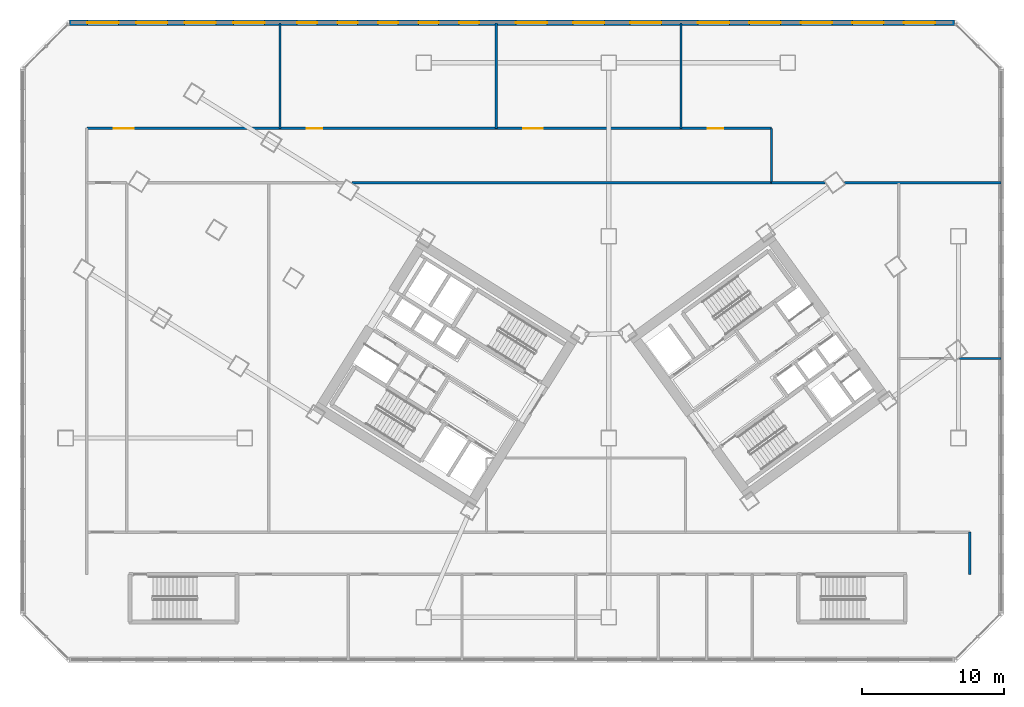
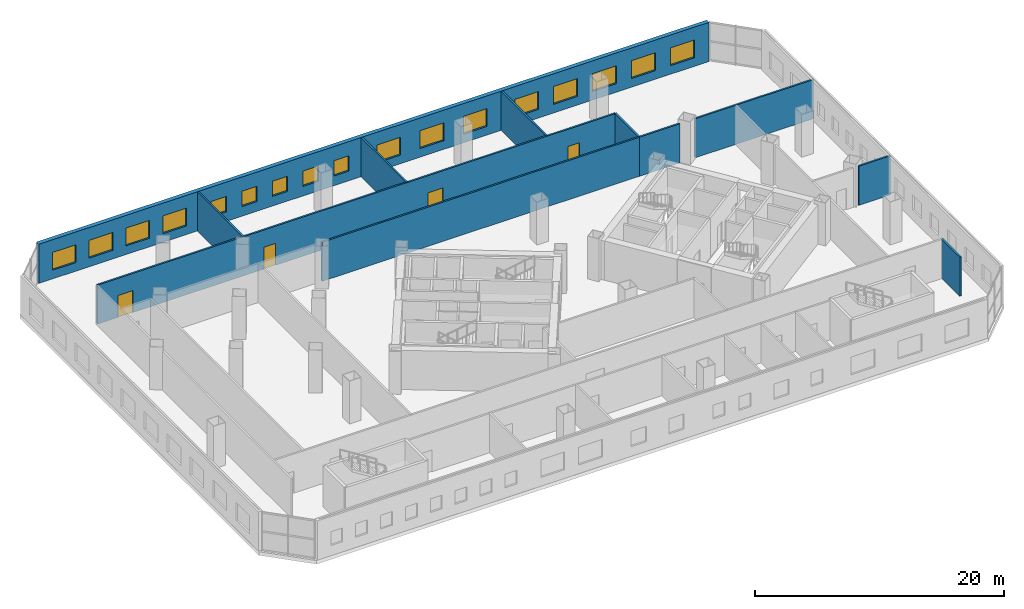
# One storey, part 14 of 22: 17 windows, 11 walls, 4 doors, 21 openings.
"""IFC4 building model written with IfcOpenShell, lengths in metres."""

from ifc_helpers import new_model, si_unit, direction, frame, frame_2d, origin, place, context, subcontext, project, spatial, rectangle, extrude, source, transform, mapped, material, layer, layer_set, type_object, element, fill, save


model = new_model("IFC4")

# Units and contexts
model_context = context("Model", 3, precision=1e-05, world=origin(), true_north=direction((0.0, 1.0)))
body_context = subcontext(model_context, "Body", "Model", "MODEL_VIEW")
ifc_project = project(units=[si_unit("LENGTHUNIT", "METRE"), si_unit("AREAUNIT", "SQUARE_METRE"), si_unit("VOLUMEUNIT", "CUBIC_METRE"), si_unit("PLANEANGLEUNIT", "RADIAN"), si_unit("MASSUNIT", "GRAM", prefix="KILO")], contexts=[model_context])

# Site, building, storey
site_placement = place(None, origin())
site = spatial("IfcSite", under=ifc_project, at=site_placement, CompositionType="ELEMENT")
building_placement = place(site_placement, origin())
building = spatial("IfcBuilding", under=site, at=building_placement, Name="Tlacorven Tower", CompositionType="ELEMENT")
storey_placement = place(building_placement, frame((0.0, 0.0, 10.199951171875)))
storey = spatial("IfcBuildingStorey", under=building, at=storey_placement, Name="L02", CompositionType="ELEMENT", Elevation=10.199951171875)

# Wall
ifc_material_1 = material(Name="Gypsum plasterboard acoustic partition", Category="gypsum")
ifc_layer_1 = layer(ifc_material_1, 0.159912109375)
ifc_layer_set_1 = layer_set([ifc_layer_1], Name="Gypsum plasterboard acoustic partition")
wall_type_1 = type_object("IfcWallType", Name="WL-DEM-160", PredefinedType="PARTITIONING", material=ifc_layer_set_1)
wall_1_placement = place(storey_placement, frame((24.749267578125, 35.14990234375, 0.0), z_axis=(0.0, 0.0, 1.0), x_axis=(1.0, 0.0, 0.0)))
element("IfcWall", 1, at=wall_1_placement, inside=storey, type_object=wall_type_1, Name="L02 partition 77", PredefinedType="PARTITIONING", context=body_context, shape_type="SweptSolid", body=[
    extrude(rectangle(XDim=29.500732421875, YDim=0.159912109375, at=frame_2d((14.75048828125, 0.0))), origin(), (0.0, 0.0, 1.0), 3.840087890625),
])

# Wall, openings, doors
wall_2_placement = place(storey_placement, frame((6.10009765625, 38.97998046875, 0.0), z_axis=(0.0, 0.0, 1.0), x_axis=(1.0, 0.0, 0.0)))
wall_2 = element("IfcWall", 2, at=wall_2_placement, inside=storey, type_object=wall_type_1, Name="L02 partition 78", PredefinedType="PARTITIONING", context=body_context, shape_type="SweptSolid", body=[
    extrude(rectangle(XDim=48.14990234375, YDim=0.159912109375, at=frame_2d((24.074951171875, 0.0))), origin(), (0.0, 0.0, 1.0), 3.840087890625),
])
opening_1_placement = place(wall_2_placement, frame((1.89990234375, 0.0, 0.0)))
opening_1 = element("IfcOpeningElement", 3, at=opening_1_placement, cuts=wall_2, Name="Opening D16", PredefinedType="OPENING", context=body_context, shape_type="SweptSolid", body=[
    extrude(rectangle(XDim=1.39990234375, YDim=2.14990234375, at=frame_2d((0.699951171875, 1.074951171875))), frame((0.0, 0.08984375, 0.0), z_axis=(0.0, -1.0, 0.0), x_axis=(1.0, 0.0, 0.0)), (0.0, 0.0, 1.0), 0.179931640625),
])
opening_2_placement = place(wall_2_placement, frame((15.47998046875, 0.0, 0.0)))
opening_2 = element("IfcOpeningElement", 4, at=opening_2_placement, cuts=wall_2, Name="Opening D15", PredefinedType="OPENING", context=body_context, shape_type="SweptSolid", body=[
    extrude(rectangle(XDim=1.080078125, YDim=2.14990234375, at=frame_2d((0.5400390625, 1.074951171875))), frame((0.0, 0.08984375, 0.0), z_axis=(0.0, -1.0, 0.0), x_axis=(1.0, 0.0, 0.0)), (0.0, 0.0, 1.0), 0.179931640625),
])
opening_3_placement = place(wall_2_placement, frame((30.679931640625, 0.0, 0.0)))
opening_3 = element("IfcOpeningElement", 5, at=opening_3_placement, cuts=wall_2, Name="Opening D16", PredefinedType="OPENING", context=body_context, shape_type="SweptSolid", body=[
    extrude(rectangle(XDim=1.39990234375, YDim=2.14990234375, at=frame_2d((0.699951171875, 1.074951171875))), frame((0.0, 0.08984375, 0.0), z_axis=(0.0, -1.0, 0.0), x_axis=(1.0, 0.0, 0.0)), (0.0, 0.0, 1.0), 0.179931640625),
])
opening_4_placement = place(wall_2_placement, frame((43.679931640625, 0.0, 0.0)))
opening_4 = element("IfcOpeningElement", 6, at=opening_4_placement, cuts=wall_2, Name="Opening D15", PredefinedType="OPENING", context=body_context, shape_type="SweptSolid", body=[
    extrude(rectangle(XDim=1.080078125, YDim=2.14990234375, at=frame_2d((0.5400390625, 1.074951171875))), frame((0.0, 0.08984375, 0.0), z_axis=(0.0, -1.0, 0.0), x_axis=(1.0, 0.0, 0.0)), (0.0, 0.0, 1.0), 0.179931640625),
])
ifc_material_2 = material(Name="Fire-rated steel door assembly", Category="steel")
door_type_1 = type_object("IfcDoorType", Name="DR-CLN-IMAG-1400", OperationType="DOUBLE_DOOR_SINGLE_SWING", PredefinedType="DOOR", material=ifc_material_2)
shared_shape_1 = source(origin(), body_context, "Body", "SweptSolid", [
    extrude(rectangle(XDim=1.39990234375, YDim=2.14990234375, at=frame_2d((0.699951171875, 1.074951171875))), frame((0.0, 0.02490234375, 0.0), z_axis=(0.0, -1.0, 0.0), x_axis=(1.0, 0.0, 0.0)), (0.0, 0.0, 1.0), 0.050048828125),
])
door_1_placement = place(opening_1_placement, origin())
door_1 = element("IfcDoor", 7, at=door_1_placement, inside=storey, type_object=door_type_1, Name="L02 door 035", OperationType="DOUBLE_DOOR_SINGLE_SWING", OverallHeight=2.14990234375, OverallWidth=1.39990234375, PredefinedType="DOOR", context=body_context, shape_type="MappedRepresentation", body=[
    mapped(shared_shape_1, transform((0.0, 0.0, 0.0), scale=1.0)),
])
fill(opening_1, door_1)
door_2_placement = place(opening_3_placement, origin())
door_2 = element("IfcDoor", 8, at=door_2_placement, inside=storey, type_object=door_type_1, Name="L02 door 037", OperationType="DOUBLE_DOOR_SINGLE_SWING", OverallHeight=2.14990234375, OverallWidth=1.39990234375, PredefinedType="DOOR", context=body_context, shape_type="MappedRepresentation", body=[
    mapped(shared_shape_1, transform((0.0, 0.0, 0.0), scale=1.0)),
])
fill(opening_3, door_2)
door_type_2 = type_object("IfcDoorType", Name="DR-CLN-CONS-1080", OperationType="NOTDEFINED", PredefinedType="DOOR", material=ifc_material_2)
shared_shape_2 = source(origin(), body_context, "Body", "SweptSolid", [
    extrude(rectangle(XDim=1.080078125, YDim=2.14990234375, at=frame_2d((0.5400390625, 1.074951171875))), frame((0.0, 0.02490234375, 0.0), z_axis=(0.0, -1.0, 0.0), x_axis=(1.0, 0.0, 0.0)), (0.0, 0.0, 1.0), 0.050048828125),
])
door_3_placement = place(opening_2_placement, origin())
door_3 = element("IfcDoor", 9, at=door_3_placement, inside=storey, type_object=door_type_2, Name="L02 door 036", OperationType="SINGLE_SWING_RIGHT", OverallHeight=2.14990234375, OverallWidth=1.080078125, PredefinedType="DOOR", context=body_context, shape_type="MappedRepresentation", body=[
    mapped(shared_shape_2, transform((0.0, 0.0, 0.0), scale=1.0)),
])
fill(opening_2, door_3)
door_4_placement = place(opening_4_placement, origin())
door_4 = element("IfcDoor", 10, at=door_4_placement, inside=storey, type_object=door_type_2, Name="L02 door 038", OperationType="SINGLE_SWING_LEFT", OverallHeight=2.14990234375, OverallWidth=1.080078125, PredefinedType="DOOR", context=body_context, shape_type="MappedRepresentation", body=[
    mapped(shared_shape_2, transform((0.0, 0.0, 0.0), scale=1.0)),
])
fill(opening_4, door_4)

# Walls
wall_3_placement = place(storey_placement, frame((54.25, 35.14990234375, 0.0), z_axis=(0.0, 0.0, 1.0), x_axis=(0.0, 1.0, 0.0)))
element("IfcWall", 11, at=wall_3_placement, inside=storey, type_object=wall_type_1, Name="L02 partition 79", PredefinedType="PARTITIONING", context=body_context, shape_type="SweptSolid", body=[
    extrude(rectangle(XDim=3.830078125, YDim=0.159912109375, at=frame_2d((1.9150390625, 0.0))), origin(), (0.0, 0.0, 1.0), 3.840087890625),
])
for number, where, z_axis, x_axis, name in (
    (12, (19.68994140625, 38.97998046875, 0.0), (0.0, 0.0, 1.0), (0.0, 1.0, 0.0), "L02 partition 81"),
    (13, (34.889892578125, 38.97998046875, 0.0), (0.0, 0.0, 1.0), (0.0, 1.0, 0.0), "L02 partition 82"),
    (14, (47.889892578125, 38.97998046875, 0.0), (0.0, 0.0, 1.0), (0.0, 1.0, 0.0), "L02 partition 83"),
):
    element("IfcWall", number, at=place(storey_placement, frame(where, z_axis=z_axis, x_axis=x_axis)), inside=storey, type_object=wall_type_1, Name=name, PredefinedType="PARTITIONING", context=body_context, shape_type="SweptSolid", body=[
        extrude(rectangle(XDim=7.419921875, YDim=0.159912109375, at=frame_2d((3.7099609375, 0.0))), origin(), (0.0, 0.0, 1.0), 3.840087890625),
    ])
wall_4_placement = place(storey_placement, frame((54.25, 35.14990234375, 0.0), z_axis=(0.0, 0.0, 1.0), x_axis=(1.0, 0.0, 0.0)))
element("IfcWall", 15, at=wall_4_placement, inside=storey, type_object=wall_type_1, Name="L02 partition 86", PredefinedType="PARTITIONING", context=body_context, shape_type="SweptSolid", body=[
    extrude(rectangle(XDim=3.75244140625, YDim=0.159912109375, at=frame_2d((1.876220703125, 0.0))), origin(), (0.0, 0.0, 1.0), 3.840087890625),
])
wall_5_placement = place(storey_placement, frame((59.391845703125, 35.14990234375, 0.0), z_axis=(0.0, 0.0, 1.0), x_axis=(1.0, 0.0, 0.0)))
element("IfcWall", 16, at=wall_5_placement, inside=storey, type_object=wall_type_1, Name="L02 partition 86", PredefinedType="PARTITIONING", context=body_context, shape_type="SweptSolid", body=[
    extrude(rectangle(XDim=11.008056640625, YDim=0.159912109375, at=frame_2d((5.50390625, 0.0))), origin(), (0.0, 0.0, 1.0), 3.840087890625),
])
wall_6_placement = place(storey_placement, frame((68.199951171875, 7.6201171875, 0.0), z_axis=(0.0, 0.0, 1.0), x_axis=(0.0, 1.0, 0.0)))
element("IfcWall", 17, at=wall_6_placement, inside=storey, type_object=wall_type_1, Name="L02 partition 87", PredefinedType="PARTITIONING", context=body_context, shape_type="SweptSolid", body=[
    extrude(rectangle(XDim=2.9599609375, YDim=0.159912109375, at=frame_2d((1.47998046875, 0.0))), origin(), (0.0, 0.0, 1.0), 3.840087890625),
])
wall_7_placement = place(storey_placement, frame((67.4619140625, 22.800048828125, 0.0), z_axis=(0.0, 0.0, 1.0), x_axis=(1.0, 0.0, 0.0)))
element("IfcWall", 18, at=wall_7_placement, inside=storey, type_object=wall_type_1, Name="L02 partition 88", PredefinedType="PARTITIONING", context=body_context, shape_type="SweptSolid", body=[
    extrude(rectangle(XDim=2.93798828125, YDim=0.159912109375, at=frame_2d((1.468994140625, 0.0))), origin(), (0.0, 0.0, 1.0), 3.840087890625),
])

# Wall, openings, windows
ifc_material_3 = material(Name="Precast concrete C45/55", Category="concrete")
ifc_layer_2 = layer(ifc_material_3, 0.3798828125)
ifc_layer_set_2 = layer_set([ifc_layer_2], Name="Precast concrete C45/55")
wall_type_2 = type_object("IfcWallType", Name="WL-EXT-380", PredefinedType="STANDARD", material=ifc_layer_set_2)
wall_8_placement = place(storey_placement, frame((4.8828125, 46.39990234375, 0.0), z_axis=(0.0, 0.0, 1.0), x_axis=(1.0, 0.0, 0.0)))
wall_8 = element("IfcWall", 19, at=wall_8_placement, inside=storey, type_object=wall_type_2, Name="L02 Podium Masonry-Frame Facade Wall 4", PredefinedType="STANDARD", context=body_context, shape_type="SweptSolid", body=[
    extrude(rectangle(XDim=62.234375, YDim=0.3798828125, at=frame_2d((31.1171875, 0.0))), origin(), (0.0, 0.0, 1.0), 3.85009765625),
])
opening_5_placement = place(wall_8_placement, frame((1.259521484375, 0.0, 0.85009765625)))
opening_5 = element("IfcOpeningElement", 20, at=opening_5_placement, cuts=wall_8, Name="Opening WN14", PredefinedType="OPENING", context=body_context, shape_type="SweptSolid", body=[
    extrude(rectangle(XDim=2.199951171875, YDim=1.75, at=frame_2d((1.10009765625, 0.875))), frame((0.0, 0.199951171875, 0.0), z_axis=(0.0, -1.0, 0.0), x_axis=(1.0, 0.0, 0.0)), (0.0, 0.0, 1.0), 0.39990234375),
])
opening_6_placement = place(wall_8_placement, frame((4.678955078125, 0.0, 0.85009765625)))
opening_6 = element("IfcOpeningElement", 21, at=opening_6_placement, cuts=wall_8, Name="Opening WN14", PredefinedType="OPENING", context=body_context, shape_type="SweptSolid", body=[
    extrude(rectangle(XDim=2.199951171875, YDim=1.75, at=frame_2d((1.10009765625, 0.875))), frame((0.0, 0.199951171875, 0.0), z_axis=(0.0, -1.0, 0.0), x_axis=(1.0, 0.0, 0.0)), (0.0, 0.0, 1.0), 0.39990234375),
])
opening_7_placement = place(wall_8_placement, frame((8.09814453125, 0.0, 0.85009765625)))
opening_7 = element("IfcOpeningElement", 22, at=opening_7_placement, cuts=wall_8, Name="Opening WN14", PredefinedType="OPENING", context=body_context, shape_type="SweptSolid", body=[
    extrude(rectangle(XDim=2.199951171875, YDim=1.75, at=frame_2d((1.10009765625, 0.875))), frame((0.0, 0.199951171875, 0.0), z_axis=(0.0, -1.0, 0.0), x_axis=(1.0, 0.0, 0.0)), (0.0, 0.0, 1.0), 0.39990234375),
])
opening_8_placement = place(wall_8_placement, frame((11.517578125, 0.0, 0.85009765625)))
opening_8 = element("IfcOpeningElement", 23, at=opening_8_placement, cuts=wall_8, Name="Opening WN14", PredefinedType="OPENING", context=body_context, shape_type="SweptSolid", body=[
    extrude(rectangle(XDim=2.199951171875, YDim=1.75, at=frame_2d((1.10009765625, 0.875))), frame((0.0, 0.199951171875, 0.0), z_axis=(0.0, -1.0, 0.0), x_axis=(1.0, 0.0, 0.0)), (0.0, 0.0, 1.0), 0.39990234375),
])
opening_9_placement = place(wall_8_placement, frame((16.01123046875, 0.0, 0.949951171875)))
opening_9 = element("IfcOpeningElement", 24, at=opening_9_placement, cuts=wall_8, Name="Opening WN15", PredefinedType="OPENING", context=body_context, shape_type="SweptSolid", body=[
    extrude(rectangle(XDim=1.39990234375, YDim=1.5, at=frame_2d((0.699951171875, 0.75))), frame((0.0, 0.199951171875, 0.0), z_axis=(0.0, -1.0, 0.0), x_axis=(1.0, 0.0, 0.0)), (0.0, 0.0, 1.0), 0.39990234375),
])
opening_10_placement = place(wall_8_placement, frame((18.859130859375, 0.0, 0.949951171875)))
opening_10 = element("IfcOpeningElement", 25, at=opening_10_placement, cuts=wall_8, Name="Opening WN15", PredefinedType="OPENING", context=body_context, shape_type="SweptSolid", body=[
    extrude(rectangle(XDim=1.39990234375, YDim=1.5, at=frame_2d((0.699951171875, 0.75))), frame((0.0, 0.199951171875, 0.0), z_axis=(0.0, -1.0, 0.0), x_axis=(1.0, 0.0, 0.0)), (0.0, 0.0, 1.0), 0.39990234375),
])
opening_11_placement = place(wall_8_placement, frame((21.707275390625, 0.0, 0.949951171875)))
opening_11 = element("IfcOpeningElement", 26, at=opening_11_placement, cuts=wall_8, Name="Opening WN15", PredefinedType="OPENING", context=body_context, shape_type="SweptSolid", body=[
    extrude(rectangle(XDim=1.39990234375, YDim=1.5, at=frame_2d((0.699951171875, 0.75))), frame((0.0, 0.199951171875, 0.0), z_axis=(0.0, -1.0, 0.0), x_axis=(1.0, 0.0, 0.0)), (0.0, 0.0, 1.0), 0.39990234375),
])
opening_12_placement = place(wall_8_placement, frame((24.55517578125, 0.0, 0.949951171875)))
opening_12 = element("IfcOpeningElement", 27, at=opening_12_placement, cuts=wall_8, Name="Opening WN15", PredefinedType="OPENING", context=body_context, shape_type="SweptSolid", body=[
    extrude(rectangle(XDim=1.39990234375, YDim=1.5, at=frame_2d((0.699951171875, 0.75))), frame((0.0, 0.199951171875, 0.0), z_axis=(0.0, -1.0, 0.0), x_axis=(1.0, 0.0, 0.0)), (0.0, 0.0, 1.0), 0.39990234375),
])
opening_13_placement = place(wall_8_placement, frame((27.4033203125, 0.0, 0.949951171875)))
opening_13 = element("IfcOpeningElement", 28, at=opening_13_placement, cuts=wall_8, Name="Opening WN15", PredefinedType="OPENING", context=body_context, shape_type="SweptSolid", body=[
    extrude(rectangle(XDim=1.39990234375, YDim=1.5, at=frame_2d((0.699951171875, 0.75))), frame((0.0, 0.199951171875, 0.0), z_axis=(0.0, -1.0, 0.0), x_axis=(1.0, 0.0, 0.0)), (0.0, 0.0, 1.0), 0.39990234375),
])
opening_14_placement = place(wall_8_placement, frame((31.393798828125, 0.0, 0.85009765625)))
opening_14 = element("IfcOpeningElement", 29, at=opening_14_placement, cuts=wall_8, Name="Opening WN14", PredefinedType="OPENING", context=body_context, shape_type="SweptSolid", body=[
    extrude(rectangle(XDim=2.199951171875, YDim=1.75, at=frame_2d((1.10009765625, 0.875))), frame((0.0, 0.199951171875, 0.0), z_axis=(0.0, -1.0, 0.0), x_axis=(1.0, 0.0, 0.0)), (0.0, 0.0, 1.0), 0.39990234375),
])
opening_15_placement = place(wall_8_placement, frame((35.4072265625, 0.0, 0.85009765625)))
opening_15 = element("IfcOpeningElement", 30, at=opening_15_placement, cuts=wall_8, Name="Opening WN14", PredefinedType="OPENING", context=body_context, shape_type="SweptSolid", body=[
    extrude(rectangle(XDim=2.199951171875, YDim=1.75, at=frame_2d((1.10009765625, 0.875))), frame((0.0, 0.199951171875, 0.0), z_axis=(0.0, -1.0, 0.0), x_axis=(1.0, 0.0, 0.0)), (0.0, 0.0, 1.0), 0.39990234375),
])
opening_16_placement = place(wall_8_placement, frame((39.42041015625, 0.0, 0.85009765625)))
opening_16 = element("IfcOpeningElement", 31, at=opening_16_placement, cuts=wall_8, Name="Opening WN14", PredefinedType="OPENING", context=body_context, shape_type="SweptSolid", body=[
    extrude(rectangle(XDim=2.199951171875, YDim=1.75, at=frame_2d((1.10009765625, 0.875))), frame((0.0, 0.199951171875, 0.0), z_axis=(0.0, -1.0, 0.0), x_axis=(1.0, 0.0, 0.0)), (0.0, 0.0, 1.0), 0.39990234375),
])
opening_17_placement = place(wall_8_placement, frame((44.197021484375, 0.0, 0.85009765625)))
opening_17 = element("IfcOpeningElement", 32, at=opening_17_placement, cuts=wall_8, Name="Opening WN14", PredefinedType="OPENING", context=body_context, shape_type="SweptSolid", body=[
    extrude(rectangle(XDim=2.199951171875, YDim=1.75, at=frame_2d((1.10009765625, 0.875))), frame((0.0, 0.199951171875, 0.0), z_axis=(0.0, -1.0, 0.0), x_axis=(1.0, 0.0, 0.0)), (0.0, 0.0, 1.0), 0.39990234375),
])
opening_18_placement = place(wall_8_placement, frame((47.81640625, 0.0, 0.85009765625)))
opening_18 = element("IfcOpeningElement", 33, at=opening_18_placement, cuts=wall_8, Name="Opening WN14", PredefinedType="OPENING", context=body_context, shape_type="SweptSolid", body=[
    extrude(rectangle(XDim=2.199951171875, YDim=1.75, at=frame_2d((1.10009765625, 0.875))), frame((0.0, 0.199951171875, 0.0), z_axis=(0.0, -1.0, 0.0), x_axis=(1.0, 0.0, 0.0)), (0.0, 0.0, 1.0), 0.39990234375),
])
opening_19_placement = place(wall_8_placement, frame((51.435791015625, 0.0, 0.85009765625)))
opening_19 = element("IfcOpeningElement", 34, at=opening_19_placement, cuts=wall_8, Name="Opening WN14", PredefinedType="OPENING", context=body_context, shape_type="SweptSolid", body=[
    extrude(rectangle(XDim=2.199951171875, YDim=1.75, at=frame_2d((1.10009765625, 0.875))), frame((0.0, 0.199951171875, 0.0), z_axis=(0.0, -1.0, 0.0), x_axis=(1.0, 0.0, 0.0)), (0.0, 0.0, 1.0), 0.39990234375),
])
opening_20_placement = place(wall_8_placement, frame((55.05517578125, 0.0, 0.85009765625)))
opening_20 = element("IfcOpeningElement", 35, at=opening_20_placement, cuts=wall_8, Name="Opening WN14", PredefinedType="OPENING", context=body_context, shape_type="SweptSolid", body=[
    extrude(rectangle(XDim=2.199951171875, YDim=1.75, at=frame_2d((1.10009765625, 0.875))), frame((0.0, 0.199951171875, 0.0), z_axis=(0.0, -1.0, 0.0), x_axis=(1.0, 0.0, 0.0)), (0.0, 0.0, 1.0), 0.39990234375),
])
opening_21_placement = place(wall_8_placement, frame((58.674560546875, 0.0, 0.85009765625)))
opening_21 = element("IfcOpeningElement", 36, at=opening_21_placement, cuts=wall_8, Name="Opening WN14", PredefinedType="OPENING", context=body_context, shape_type="SweptSolid", body=[
    extrude(rectangle(XDim=2.199951171875, YDim=1.75, at=frame_2d((1.10009765625, 0.875))), frame((0.0, 0.199951171875, 0.0), z_axis=(0.0, -1.0, 0.0), x_axis=(1.0, 0.0, 0.0)), (0.0, 0.0, 1.0), 0.39990234375),
])
ifc_material_4 = material(Name="Dark solar low-E double glazing in anodised aluminium frame", Category="aluminium")
window_type_1 = type_object("IfcWindowType", Name="WN-CLN-2200X1850", PartitioningType="SINGLE_PANEL", PredefinedType="WINDOW", material=ifc_material_4)
shared_shape_3 = source(origin(), body_context, "Body", "SweptSolid", [
    extrude(rectangle(XDim=2.199951171875, YDim=1.75, at=frame_2d((1.10009765625, 0.875))), frame((0.0, 0.030029296875, 0.0), z_axis=(0.0, -1.0, 0.0), x_axis=(1.0, 0.0, 0.0)), (0.0, 0.0, 1.0), 0.06005859375),
])
window_1_placement = place(opening_5_placement, origin())
window_1 = element("IfcWindow", 37, at=window_1_placement, inside=storey, type_object=window_type_1, Name="L02 Podium Recessed Facade Window 4.1", OverallHeight=1.75, OverallWidth=2.199951171875, PartitioningType="SINGLE_PANEL", PredefinedType="WINDOW", context=body_context, shape_type="MappedRepresentation", body=[
    mapped(shared_shape_3, transform((0.0, 0.0, 0.0), scale=1.0)),
])
fill(opening_5, window_1)
window_2_placement = place(opening_6_placement, origin())
window_2 = element("IfcWindow", 38, at=window_2_placement, inside=storey, type_object=window_type_1, Name="L02 Podium Recessed Facade Window 4.2", OverallHeight=1.75, OverallWidth=2.199951171875, PartitioningType="SINGLE_PANEL", PredefinedType="WINDOW", context=body_context, shape_type="MappedRepresentation", body=[
    mapped(shared_shape_3, transform((0.0, 0.0, 0.0), scale=1.0)),
])
fill(opening_6, window_2)
window_3_placement = place(opening_7_placement, origin())
window_3 = element("IfcWindow", 39, at=window_3_placement, inside=storey, type_object=window_type_1, Name="L02 Podium Recessed Facade Window 4.3", OverallHeight=1.75, OverallWidth=2.199951171875, PartitioningType="SINGLE_PANEL", PredefinedType="WINDOW", context=body_context, shape_type="MappedRepresentation", body=[
    mapped(shared_shape_3, transform((0.0, 0.0, 0.0), scale=1.0)),
])
fill(opening_7, window_3)
window_4_placement = place(opening_8_placement, origin())
window_4 = element("IfcWindow", 40, at=window_4_placement, inside=storey, type_object=window_type_1, Name="L02 Podium Recessed Facade Window 4.4", OverallHeight=1.75, OverallWidth=2.199951171875, PartitioningType="SINGLE_PANEL", PredefinedType="WINDOW", context=body_context, shape_type="MappedRepresentation", body=[
    mapped(shared_shape_3, transform((0.0, 0.0, 0.0), scale=1.0)),
])
fill(opening_8, window_4)
window_5_placement = place(opening_14_placement, origin())
window_5 = element("IfcWindow", 41, at=window_5_placement, inside=storey, type_object=window_type_1, Name="L02 Podium Recessed Facade Window 4.10", OverallHeight=1.75, OverallWidth=2.199951171875, PartitioningType="SINGLE_PANEL", PredefinedType="WINDOW", context=body_context, shape_type="MappedRepresentation", body=[
    mapped(shared_shape_3, transform((0.0, 0.0, 0.0), scale=1.0)),
])
fill(opening_14, window_5)
window_6_placement = place(opening_15_placement, origin())
window_6 = element("IfcWindow", 42, at=window_6_placement, inside=storey, type_object=window_type_1, Name="L02 Podium Recessed Facade Window 4.11", OverallHeight=1.75, OverallWidth=2.199951171875, PartitioningType="SINGLE_PANEL", PredefinedType="WINDOW", context=body_context, shape_type="MappedRepresentation", body=[
    mapped(shared_shape_3, transform((0.0, 0.0, 0.0), scale=1.0)),
])
fill(opening_15, window_6)
window_7_placement = place(opening_16_placement, origin())
window_7 = element("IfcWindow", 43, at=window_7_placement, inside=storey, type_object=window_type_1, Name="L02 Podium Recessed Facade Window 4.12", OverallHeight=1.75, OverallWidth=2.199951171875, PartitioningType="SINGLE_PANEL", PredefinedType="WINDOW", context=body_context, shape_type="MappedRepresentation", body=[
    mapped(shared_shape_3, transform((0.0, 0.0, 0.0), scale=1.0)),
])
fill(opening_16, window_7)
window_8_placement = place(opening_17_placement, origin())
window_8 = element("IfcWindow", 44, at=window_8_placement, inside=storey, type_object=window_type_1, Name="L02 Podium Recessed Facade Window 4.13", OverallHeight=1.75, OverallWidth=2.199951171875, PartitioningType="SINGLE_PANEL", PredefinedType="WINDOW", context=body_context, shape_type="MappedRepresentation", body=[
    mapped(shared_shape_3, transform((0.0, 0.0, 0.0), scale=1.0)),
])
fill(opening_17, window_8)
window_9_placement = place(opening_18_placement, origin())
window_9 = element("IfcWindow", 45, at=window_9_placement, inside=storey, type_object=window_type_1, Name="L02 Podium Recessed Facade Window 4.14", OverallHeight=1.75, OverallWidth=2.199951171875, PartitioningType="SINGLE_PANEL", PredefinedType="WINDOW", context=body_context, shape_type="MappedRepresentation", body=[
    mapped(shared_shape_3, transform((0.0, 0.0, 0.0), scale=1.0)),
])
fill(opening_18, window_9)
window_10_placement = place(opening_19_placement, origin())
window_10 = element("IfcWindow", 46, at=window_10_placement, inside=storey, type_object=window_type_1, Name="L02 Podium Recessed Facade Window 4.15", OverallHeight=1.75, OverallWidth=2.199951171875, PartitioningType="SINGLE_PANEL", PredefinedType="WINDOW", context=body_context, shape_type="MappedRepresentation", body=[
    mapped(shared_shape_3, transform((0.0, 0.0, 0.0), scale=1.0)),
])
fill(opening_19, window_10)
window_11_placement = place(opening_20_placement, origin())
window_11 = element("IfcWindow", 47, at=window_11_placement, inside=storey, type_object=window_type_1, Name="L02 Podium Recessed Facade Window 4.16", OverallHeight=1.75, OverallWidth=2.199951171875, PartitioningType="SINGLE_PANEL", PredefinedType="WINDOW", context=body_context, shape_type="MappedRepresentation", body=[
    mapped(shared_shape_3, transform((0.0, 0.0, 0.0), scale=1.0)),
])
fill(opening_20, window_11)
window_12_placement = place(opening_21_placement, origin())
window_12 = element("IfcWindow", 48, at=window_12_placement, inside=storey, type_object=window_type_1, Name="L02 Podium Recessed Facade Window 4.17", OverallHeight=1.75, OverallWidth=2.199951171875, PartitioningType="SINGLE_PANEL", PredefinedType="WINDOW", context=body_context, shape_type="MappedRepresentation", body=[
    mapped(shared_shape_3, transform((0.0, 0.0, 0.0), scale=1.0)),
])
fill(opening_21, window_12)
window_type_2 = type_object("IfcWindowType", Name="WN-CLN-1400X1600", PartitioningType="SINGLE_PANEL", PredefinedType="WINDOW", material=ifc_material_4)
shared_shape_4 = source(origin(), body_context, "Body", "SweptSolid", [
    extrude(rectangle(XDim=1.39990234375, YDim=1.5, at=frame_2d((0.699951171875, 0.75))), frame((0.0, 0.030029296875, 0.0), z_axis=(0.0, -1.0, 0.0), x_axis=(1.0, 0.0, 0.0)), (0.0, 0.0, 1.0), 0.06005859375),
])
window_13_placement = place(opening_9_placement, origin())
window_13 = element("IfcWindow", 49, at=window_13_placement, inside=storey, type_object=window_type_2, Name="L02 Podium Recessed Facade Window 4.5", OverallHeight=1.5, OverallWidth=1.39990234375, PartitioningType="SINGLE_PANEL", PredefinedType="WINDOW", context=body_context, shape_type="MappedRepresentation", body=[
    mapped(shared_shape_4, transform((0.0, 0.0, 0.0), scale=1.0)),
])
fill(opening_9, window_13)
window_14_placement = place(opening_10_placement, origin())
window_14 = element("IfcWindow", 50, at=window_14_placement, inside=storey, type_object=window_type_2, Name="L02 Podium Recessed Facade Window 4.6", OverallHeight=1.5, OverallWidth=1.39990234375, PartitioningType="SINGLE_PANEL", PredefinedType="WINDOW", context=body_context, shape_type="MappedRepresentation", body=[
    mapped(shared_shape_4, transform((0.0, 0.0, 0.0), scale=1.0)),
])
fill(opening_10, window_14)
window_15_placement = place(opening_11_placement, origin())
window_15 = element("IfcWindow", 51, at=window_15_placement, inside=storey, type_object=window_type_2, Name="L02 Podium Recessed Facade Window 4.7", OverallHeight=1.5, OverallWidth=1.39990234375, PartitioningType="SINGLE_PANEL", PredefinedType="WINDOW", context=body_context, shape_type="MappedRepresentation", body=[
    mapped(shared_shape_4, transform((0.0, 0.0, 0.0), scale=1.0)),
])
fill(opening_11, window_15)
window_16_placement = place(opening_12_placement, origin())
window_16 = element("IfcWindow", 52, at=window_16_placement, inside=storey, type_object=window_type_2, Name="L02 Podium Recessed Facade Window 4.8", OverallHeight=1.5, OverallWidth=1.39990234375, PartitioningType="SINGLE_PANEL", PredefinedType="WINDOW", context=body_context, shape_type="MappedRepresentation", body=[
    mapped(shared_shape_4, transform((0.0, 0.0, 0.0), scale=1.0)),
])
fill(opening_12, window_16)
window_17_placement = place(opening_13_placement, origin())
window_17 = element("IfcWindow", 53, at=window_17_placement, inside=storey, type_object=window_type_2, Name="L02 Podium Recessed Facade Window 4.9", OverallHeight=1.5, OverallWidth=1.39990234375, PartitioningType="SINGLE_PANEL", PredefinedType="WINDOW", context=body_context, shape_type="MappedRepresentation", body=[
    mapped(shared_shape_4, transform((0.0, 0.0, 0.0), scale=1.0)),
])
fill(opening_13, window_17)

save(model, "model.ifc")
